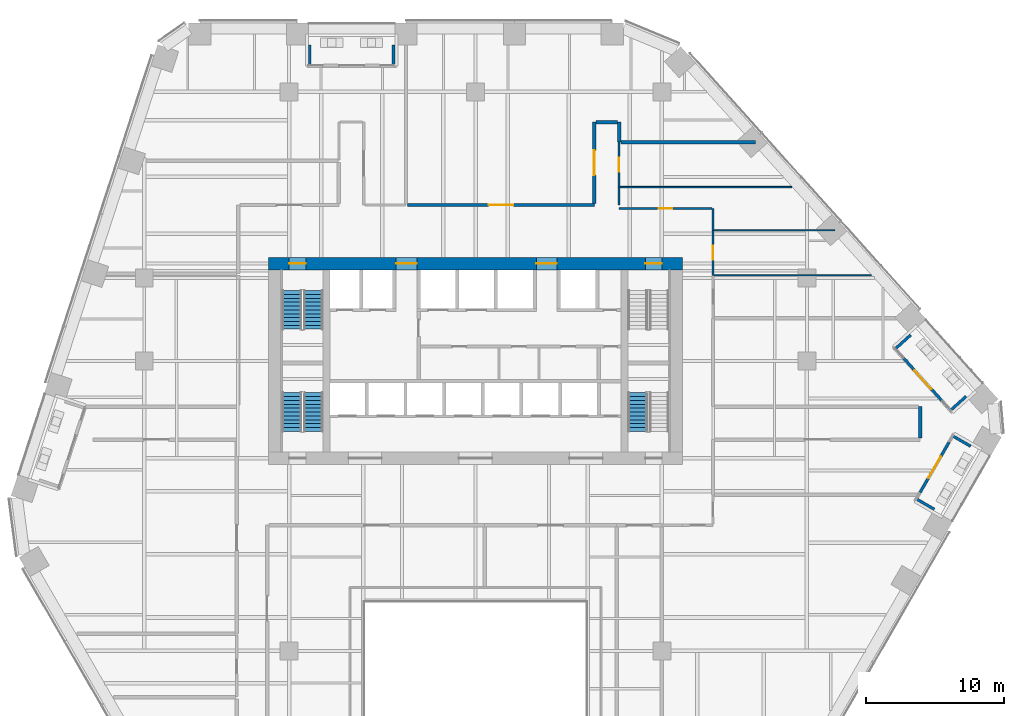
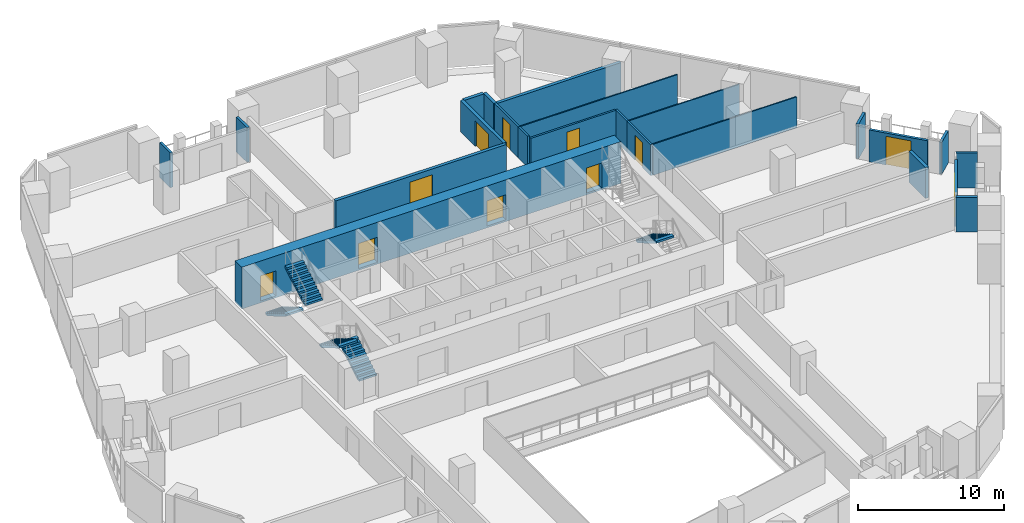
# One storey, part 25 of 31: 23 walls, 11 doors, 5 stair flights, 11 openings, 3 elements without a shape of their own.
"""IFC4 building model written with IfcOpenShell, lengths in metres."""

from ifc_helpers import new_model, si_unit, direction, frame, frame_2d, origin, place, context, subcontext, project, spatial, polyline, rectangle, outline, extrude, material, layer, layer_set, type_object, element, fill, aggregate, save


model = new_model("IFC4")

# Units and contexts
model_context = context("Model", 3, precision=1e-05, world=origin(), true_north=direction((0.0, 1.0)))
body_context = subcontext(model_context, "Body", "Model", "MODEL_VIEW")
ifc_project = project(units=[si_unit("LENGTHUNIT", "METRE"), si_unit("AREAUNIT", "SQUARE_METRE"), si_unit("VOLUMEUNIT", "CUBIC_METRE"), si_unit("PLANEANGLEUNIT", "RADIAN"), si_unit("MASSUNIT", "GRAM", prefix="KILO")], contexts=[model_context])

# Site, building, storey
site_placement = place(None, origin())
site = spatial("IfcSite", under=ifc_project, at=site_placement, CompositionType="ELEMENT")
building_placement = place(site_placement, origin())
building = spatial("IfcBuilding", under=site, at=building_placement, Name="Isthmus Gate Tower", CompositionType="ELEMENT")
storey_placement = place(building_placement, frame((0.0, 0.0, 113.5)))
storey = spatial("IfcBuildingStorey", under=building, at=storey_placement, Name="L27", CompositionType="ELEMENT", Elevation=113.5)

# Walls
ifc_material_1 = material(Name="Double-leaf acoustic stud wall, fire-rated", Category="gypsum")
ifc_layer_1 = layer(ifc_material_1, 0.25)
ifc_layer_set_1 = layer_set([ifc_layer_1], Name="ACOUSTIC WALL 250 60 MIN")
wall_type_1 = type_object("IfcWallType", Name="ACOUSTIC WALL 250 60 MIN", PredefinedType="PARTITIONING", material=ifc_layer_set_1)
wall_1_placement = place(storey_placement, frame((10.39990234375, 24.800048828125, 0.0), z_axis=(0.0, 0.0, 1.0), x_axis=(0.0, -1.0, 0.0)))
element("IfcWall", 1, at=wall_1_placement, inside=storey, type_object=wall_type_1, Name="L27 Acoustic Wall 250 60 Min", PredefinedType="PARTITIONING", context=body_context, shape_type="SweptSolid", body=[
    extrude(rectangle(XDim=1.449951171875, YDim=0.25, at=frame_2d((0.72509765625, 0.0))), origin(), (0.0, 0.0, 1.0), 2.59130859375),
])
wall_2_placement = place(storey_placement, frame((32.199951171875, 4.199951171875, 0.0), z_axis=(0.0, 0.0, 1.0), x_axis=(0.0, -1.0, 0.0)))
element("IfcWall", 2, at=wall_2_placement, inside=storey, type_object=wall_type_1, Name="L27 Acoustic Wall 250 60 Min", PredefinedType="PARTITIONING", context=body_context, shape_type="SweptSolid", body=[
    extrude(rectangle(XDim=2.27490234375, YDim=0.25, at=frame_2d((1.137451171875, 0.0))), origin(), (0.0, 0.0, 1.0), 2.59130859375),
])

# Wall, opening, door
wall_3_placement = place(storey_placement, frame((-4.912109375, 18.800048828125, 0.0), z_axis=(0.0, 0.0, 1.0), x_axis=(1.0, 0.0, 0.0)))
wall_3 = element("IfcWall", 3, at=wall_3_placement, inside=storey, type_object=wall_type_1, Name="L27 Acoustic Wall 250 60 Min", PredefinedType="PARTITIONING", context=body_context, shape_type="SweptSolid", body=[
    extrude(rectangle(XDim=13.51220703125, YDim=0.25, at=frame_2d((6.756103515625, 0.0))), origin(), (0.0, 0.0, 1.0), 2.59130859375),
])
opening_1_placement = place(wall_3_placement, frame((5.85595703125, 0.0, 0.0)))
opening_1 = element("IfcOpeningElement", 4, at=opening_1_placement, cuts=wall_3, Name="Opening DT-T2D-02", PredefinedType="OPENING", context=body_context, shape_type="SweptSolid", body=[
    extrude(rectangle(XDim=1.800048828125, YDim=2.10009765625, at=frame_2d((0.89990234375, 1.050048828125))), frame((0.0, 0.135009765625, 0.0), z_axis=(0.0, -1.0, 0.0), x_axis=(1.0, 0.0, 0.0)), (0.0, 0.0, 1.0), 0.27001953125),
])
ifc_material_2 = material(Name="Solid core timber door leaf, fire-rated", Category="wood")
door_type_1 = type_object("IfcDoorType", Name="FIRE DOOR ACOUSTIC ROOM 1800 X 2100 60 MIN", OperationType="DOUBLE_DOOR_DOUBLE_SWING", PredefinedType="DOOR", material=ifc_material_2)
door_1_placement = place(opening_1_placement, origin())
door_1 = element("IfcDoor", 5, at=door_1_placement, inside=storey, type_object=door_type_1, Name="L27 room door", OperationType="DOUBLE_DOOR_DOUBLE_SWING", OverallHeight=2.10009765625, OverallWidth=1.800048828125, PredefinedType="DOOR", context=body_context, shape_type="SweptSolid", body=[
    extrude(rectangle(XDim=1.800048828125, YDim=2.10009765625, at=frame_2d((0.89990234375, 1.050048828125))), frame((0.0, 0.02490234375, 0.0), z_axis=(0.0, -1.0, 0.0), x_axis=(1.0, 0.0, 0.0)), (0.0, 0.0, 1.0), 0.050048828125),
])
fill(opening_1, door_1)

wall_4_placement = place(storey_placement, frame((8.60009765625, 18.925048828125, 0.0), z_axis=(0.0, 0.0, 1.0), x_axis=(0.0, 1.0, 0.0)))
wall_4 = element("IfcWall", 6, at=wall_4_placement, inside=storey, type_object=wall_type_1, Name="L27 Acoustic Wall 250 60 Min", PredefinedType="PARTITIONING", context=body_context, shape_type="SweptSolid", body=[
    extrude(rectangle(XDim=5.875, YDim=0.25, at=frame_2d((2.9375, 0.0))), origin(), (0.0, 0.0, 1.0), 2.59130859375),
])
opening_2_placement = place(wall_4_placement, frame((2.03759765625, 0.0, 0.0)))
opening_2 = element("IfcOpeningElement", 7, at=opening_2_placement, cuts=wall_4, Name="Opening DT-T2D-03", PredefinedType="OPENING", context=body_context, shape_type="SweptSolid", body=[
    extrude(rectangle(XDim=1.800048828125, YDim=2.10009765625, at=frame_2d((0.89990234375, 1.050048828125))), frame((0.0, 0.135009765625, 0.0), z_axis=(0.0, -1.0, 0.0), x_axis=(1.0, 0.0, 0.0)), (0.0, 0.0, 1.0), 0.27001953125),
])
door_2_placement = place(opening_2_placement, origin())
door_2 = element("IfcDoor", 8, at=door_2_placement, inside=storey, type_object=door_type_1, Name="L27 room door", OperationType="DOUBLE_DOOR_DOUBLE_SWING", OverallHeight=2.10009765625, OverallWidth=1.800048828125, PredefinedType="DOOR", context=body_context, shape_type="SweptSolid", body=[
    extrude(rectangle(XDim=1.800048828125, YDim=2.10009765625, at=frame_2d((0.89990234375, 1.050048828125))), frame((0.0, 0.02490234375, 0.0), z_axis=(0.0, -1.0, 0.0), x_axis=(1.0, 0.0, 0.0)), (0.0, 0.0, 1.0), 0.050048828125),
])
fill(opening_2, door_2)

# Walls
wall_5_placement = place(storey_placement, frame((8.72509765625, 24.800048828125, 0.0), z_axis=(0.0, 0.0, 1.0), x_axis=(1.0, 0.0, 0.0)))
element("IfcWall", 9, at=wall_5_placement, inside=storey, type_object=wall_type_1, Name="L27 Acoustic Wall 250 60 Min", PredefinedType="PARTITIONING", context=body_context, shape_type="SweptSolid", body=[
    extrude(rectangle(XDim=1.5498046875, YDim=0.25, at=frame_2d((0.77490234375, 0.0))), origin(), (0.0, 0.0, 1.0), 2.59130859375),
])
wall_6_placement = place(storey_placement, frame((10.52490234375, 23.35009765625, 0.0), z_axis=(0.0, 0.0, 1.0), x_axis=(1.0, 0.0, 0.0)))
element("IfcWall", 10, at=wall_6_placement, inside=storey, type_object=wall_type_1, Name="L27 Acoustic Wall 250 60 Min", PredefinedType="PARTITIONING", context=body_context, shape_type="SweptSolid", body=[
    extrude(rectangle(XDim=9.76220703125, YDim=0.25, at=frame_2d((4.881103515625, 0.0))), origin(), (0.0, 0.0, 1.0), 2.59130859375),
])

# Wall, opening, door
ifc_material_3 = material(Name="Gypsum board on steel studs, fire-rated", Category="steel")
ifc_layer_2 = layer(ifc_material_3, 0.14990234375)
ifc_layer_set_2 = layer_set([ifc_layer_2], Name="CORRIDOR WALL 150 60 MIN")
wall_type_2 = type_object("IfcWallType", Name="CORRIDOR WALL 150 60 MIN", PredefinedType="PARTITIONING", material=ifc_layer_set_2)
wall_7_placement = place(storey_placement, frame((10.39990234375, 23.35009765625, 0.0), z_axis=(0.0, 0.0, 1.0), x_axis=(0.0, -1.0, 0.0)))
wall_7 = element("IfcWall", 11, at=wall_7_placement, inside=storey, type_object=wall_type_2, Name="L27 Corridor Wall 150 60 Min", PredefinedType="PARTITIONING", context=body_context, shape_type="SweptSolid", body=[
    extrude(rectangle(XDim=3.258056640625, YDim=0.14990234375, at=frame_2d((1.62890625, 0.0))), origin(), (0.0, 0.0, 1.0), 2.59130859375),
])
opening_3_placement = place(wall_7_placement, frame((1.12890625, 0.0, 0.0)))
opening_3 = element("IfcOpeningElement", 12, at=opening_3_placement, cuts=wall_7, Name="Opening DT-T2D-04", PredefinedType="OPENING", context=body_context, shape_type="SweptSolid", body=[
    extrude(rectangle(XDim=1.0, YDim=2.10009765625, at=frame_2d((0.5, 1.050048828125))), frame((0.0, 0.0849609375, 0.0), z_axis=(0.0, -1.0, 0.0), x_axis=(1.0, 0.0, 0.0)), (0.0, 0.0, 1.0), 0.169921875),
])
ifc_material_4 = material(Name="Solid core timber door leaf, fire-rated", Category="wood")
door_type_2 = type_object("IfcDoorType", Name="FIRE DOOR ROOM 1000 X 2100 60 MIN", OperationType="SINGLE_SWING_LEFT", PredefinedType="DOOR", material=ifc_material_4)
door_3_placement = place(opening_3_placement, origin())
door_3 = element("IfcDoor", 13, at=door_3_placement, inside=storey, type_object=door_type_2, Name="L27 room door", OperationType="SINGLE_SWING_RIGHT", OverallHeight=2.10009765625, OverallWidth=1.0, PredefinedType="DOOR", context=body_context, shape_type="SweptSolid", body=[
    extrude(rectangle(XDim=1.0, YDim=2.10009765625, at=frame_2d((0.5, 1.050048828125))), frame((0.0, 0.02490234375, 0.0), z_axis=(0.0, -1.0, 0.0), x_axis=(1.0, 0.0, 0.0)), (0.0, 0.0, 1.0), 0.050048828125),
])
fill(opening_3, door_3)

# Walls
wall_8_placement = place(storey_placement, frame((10.39990234375, 20.092041015625, 0.0), z_axis=(0.0, 0.0, 1.0), x_axis=(0.0, -1.0, 0.0)))
element("IfcWall", 14, at=wall_8_placement, inside=storey, type_object=wall_type_2, Name="L27 Corridor Wall 150 60 Min", PredefinedType="PARTITIONING", context=body_context, shape_type="SweptSolid", body=[
    extrude(rectangle(XDim=1.2900390625, YDim=0.14990234375, at=frame_2d((0.64501953125, 0.0))), origin(), (0.0, 0.0, 1.0), 2.59130859375),
])
wall_9_placement = place(storey_placement, frame((17.199951171875, 18.5400390625, 0.0), z_axis=(0.0, 0.0, 1.0), x_axis=(0.0, -1.0, 0.0)))
element("IfcWall", 15, at=wall_9_placement, inside=storey, type_object=wall_type_2, Name="L27 Corridor Wall 150 60 Min", PredefinedType="PARTITIONING", context=body_context, shape_type="SweptSolid", body=[
    extrude(rectangle(XDim=1.572998046875, YDim=0.14990234375, at=frame_2d((0.78662109375, 0.0))), origin(), (0.0, 0.0, 1.0), 2.59130859375),
])

# Wall, opening, door
wall_10_placement = place(storey_placement, frame((17.199951171875, 16.967041015625, 0.0), z_axis=(0.0, 0.0, 1.0), x_axis=(0.0, -1.0, 0.0)))
wall_10 = element("IfcWall", 16, at=wall_10_placement, inside=storey, type_object=wall_type_2, Name="L27 Corridor Wall 150 60 Min", PredefinedType="PARTITIONING", context=body_context, shape_type="SweptSolid", body=[
    extrude(rectangle(XDim=3.258056640625, YDim=0.14990234375, at=frame_2d((1.62890625, 0.0))), origin(), (0.0, 0.0, 1.0), 2.59130859375),
])
opening_4_placement = place(wall_10_placement, frame((1.12890625, 0.0, 0.0)))
opening_4 = element("IfcOpeningElement", 17, at=opening_4_placement, cuts=wall_10, Name="Opening DT-T2D-07", PredefinedType="OPENING", context=body_context, shape_type="SweptSolid", body=[
    extrude(rectangle(XDim=1.0, YDim=2.10009765625, at=frame_2d((0.5, 1.050048828125))), frame((0.0, 0.0849609375, 0.0), z_axis=(0.0, -1.0, 0.0), x_axis=(1.0, 0.0, 0.0)), (0.0, 0.0, 1.0), 0.169921875),
])
door_4_placement = place(opening_4_placement, origin())
door_4 = element("IfcDoor", 18, at=door_4_placement, inside=storey, type_object=door_type_2, Name="L27 room door", OperationType="SINGLE_SWING_RIGHT", OverallHeight=2.10009765625, OverallWidth=1.0, PredefinedType="DOOR", context=body_context, shape_type="SweptSolid", body=[
    extrude(rectangle(XDim=1.0, YDim=2.10009765625, at=frame_2d((0.5, 1.050048828125))), frame((0.0, 0.02490234375, 0.0), z_axis=(0.0, -1.0, 0.0), x_axis=(1.0, 0.0, 0.0)), (0.0, 0.0, 1.0), 0.050048828125),
])
fill(opening_4, door_4)

wall_11_placement = place(storey_placement, frame((10.39794921875, 18.5400390625, 0.0), z_axis=(0.0, 0.0, 1.0), x_axis=(1.0, 0.0, 0.0)))
wall_11 = element("IfcWall", 19, at=wall_11_placement, inside=storey, type_object=wall_type_2, Name="L27 Corridor Wall 150 60 Min", PredefinedType="PARTITIONING", context=body_context, shape_type="SweptSolid", body=[
    extrude(rectangle(XDim=6.72705078125, YDim=0.14990234375, at=frame_2d((3.363525390625, 0.0))), origin(), (0.0, 0.0, 1.0), 2.59130859375),
])
opening_5_placement = place(wall_11_placement, frame((2.863525390625, 0.0, 0.0)))
opening_5 = element("IfcOpeningElement", 20, at=opening_5_placement, cuts=wall_11, Name="Opening DT-T2D-06", PredefinedType="OPENING", context=body_context, shape_type="SweptSolid", body=[
    extrude(rectangle(XDim=1.0, YDim=2.10009765625, at=frame_2d((0.5, 1.050048828125))), frame((0.0, 0.0849609375, 0.0), z_axis=(0.0, -1.0, 0.0), x_axis=(1.0, 0.0, 0.0)), (0.0, 0.0, 1.0), 0.169921875),
])
door_5_placement = place(opening_5_placement, origin())
door_5 = element("IfcDoor", 21, at=door_5_placement, inside=storey, type_object=door_type_2, Name="L27 room door", OperationType="SINGLE_SWING_RIGHT", OverallHeight=2.10009765625, OverallWidth=1.0, PredefinedType="DOOR", context=body_context, shape_type="SweptSolid", body=[
    extrude(rectangle(XDim=1.0, YDim=2.10009765625, at=frame_2d((0.5, 1.050048828125))), frame((0.0, 0.02490234375, 0.0), z_axis=(0.0, -1.0, 0.0), x_axis=(1.0, 0.0, 0.0)), (0.0, 0.0, 1.0), 0.050048828125),
])
fill(opening_5, door_5)

# Walls
ifc_material_5 = material(Name="Precast concrete C40/50", Category="concrete")
ifc_layer_3 = layer(ifc_material_5, 0.199951171875)
ifc_layer_set_3 = layer_set([ifc_layer_3], Name="LOGGIA WALL 200")
wall_type_3 = type_object("IfcWallType", Name="LOGGIA WALL 200", PredefinedType="SOLIDWALL", material=ifc_layer_set_3)
for number, where, z_axis, x_axis, name in (
    (22, (-5.937255859375, 30.39990234375, 0.0), (0.0, 0.0, 1.0), (0.0, -1.0, 0.0), "LOGGIA SIDE WALL"),
    (23, (-12.006591796875, 30.39990234375, 0.0), (0.0, 0.0, 1.0), (0.0, -1.0, 0.0), "LOGGIA SIDE WALL"),
):
    element("IfcWall", number, at=place(storey_placement, frame(where, z_axis=z_axis, x_axis=x_axis)), inside=storey, type_object=wall_type_3, Name=name, PredefinedType="SOLIDWALL", context=body_context, shape_type="SweptSolid", body=[
        extrude(rectangle(XDim=1.48388671875, YDim=0.199951171875, at=frame_2d((0.741943359375, 0.0))), origin(), (0.0, 0.0, 1.0), 2.89990234375),
    ])

# Wall, opening, door
wall_12_placement = place(storey_placement, frame((32.198974609375, -2.030029296875, 0.0), z_axis=(0.0, 0.0, 1.0), x_axis=(0.499958946799, 0.866049104564, 0.0)))
wall_12 = element("IfcWall", 24, at=wall_12_placement, inside=storey, type_object=wall_type_3, Name="LOGGIA BACK WALL", PredefinedType="SOLIDWALL", context=body_context, shape_type="SweptSolid", body=[
    extrude(rectangle(XDim=4.199951171875, YDim=0.199951171875, at=frame_2d((2.10009765625, 0.0))), origin(), (0.0, 0.0, 1.0), 2.670654296875),
])
opening_6_placement = place(wall_12_placement, frame((1.199951171875, 0.0, 0.0)))
opening_6 = element("IfcOpeningElement", 25, at=opening_6_placement, cuts=wall_12, Name="Opening DE27-05", PredefinedType="OPENING", context=body_context, shape_type="SweptSolid", body=[
    extrude(rectangle(XDim=1.800048828125, YDim=2.39990234375, at=frame_2d((0.89990234375, 1.199951171875))), frame((0.0, 0.10986328125, 0.0), z_axis=(0.0, -1.0, 0.0), x_axis=(1.0, 0.0, 0.0)), (0.0, 0.0, 1.0), 0.219970703125),
])
ifc_material_6 = material(Name="Aluminium, pale champagne anodised, laminated glass", Category="aluminium")
door_type_3 = type_object("IfcDoorType", Name="LOGGIA DOOR SLIDING 1800 X 2400", OperationType="DOUBLE_DOOR_SLIDING", PredefinedType="DOOR", material=ifc_material_6)
door_6_placement = place(opening_6_placement, origin())
door_6 = element("IfcDoor", 26, at=door_6_placement, inside=storey, type_object=door_type_3, Name="DOOR DE27-05", OperationType="SINGLE_SWING_LEFT", OverallHeight=2.39990234375, OverallWidth=1.800048828125, PredefinedType="DOOR", context=body_context, shape_type="SweptSolid", body=[
    extrude(rectangle(XDim=1.800048828125, YDim=2.39990234375, at=frame_2d((0.89990234375, 1.199951171875))), frame((0.0, 0.02490234375, 0.0), z_axis=(0.0, -1.0, 0.0), x_axis=(1.0, 0.0, 0.0)), (0.0, 0.0, 1.0), 0.050048828125),
])
fill(opening_6, door_6)

# Walls
for number, where, z_axis, x_axis, name in (
    (27, (33.23046875, -3.242919921875, 0.0), (0.0, 0.0, 1.0), (-0.866037643702, 0.499978799242, 0.0), "LOGGIA SIDE WALL"),
    (28, (35.865234375, 1.320556640625, 0.0), (0.0, 0.0, 1.0), (-0.866037643702, 0.499978799242, 0.0), "LOGGIA SIDE WALL"),
):
    element("IfcWall", number, at=place(storey_placement, frame(where, z_axis=z_axis, x_axis=x_axis)), inside=storey, type_object=wall_type_3, Name=name, PredefinedType="SOLIDWALL", context=body_context, shape_type="SweptSolid", body=[
        extrude(rectangle(XDim=1.48388671875, YDim=0.199951171875, at=frame_2d((0.741943359375, 0.0))), origin(), (0.0, 0.0, 1.0), 2.89990234375),
    ])

# Wall, opening, door
wall_13_placement = place(storey_placement, frame((33.814697265625, 4.59033203125, 0.0), z_axis=(0.0, 0.0, 1.0), x_axis=(-0.669138140895, 0.743138041282, 0.0)))
wall_13 = element("IfcWall", 29, at=wall_13_placement, inside=storey, type_object=wall_type_3, Name="LOGGIA BACK WALL", PredefinedType="SOLIDWALL", context=body_context, shape_type="SweptSolid", body=[
    extrude(rectangle(XDim=4.199951171875, YDim=0.199951171875, at=frame_2d((2.10009765625, 0.0))), origin(), (0.0, 0.0, 1.0), 2.670654296875),
])
opening_7_placement = place(wall_13_placement, frame((1.199951171875, 0.0, 0.0)))
opening_7 = element("IfcOpeningElement", 30, at=opening_7_placement, cuts=wall_13, Name="Opening DE27-06", PredefinedType="OPENING", context=body_context, shape_type="SweptSolid", body=[
    extrude(rectangle(XDim=1.800048828125, YDim=2.39990234375, at=frame_2d((0.89990234375, 1.199951171875))), frame((0.0, 0.10986328125, 0.0), z_axis=(0.0, -1.0, 0.0), x_axis=(1.0, 0.0, 0.0)), (0.0, 0.0, 1.0), 0.219970703125),
])
door_7_placement = place(opening_7_placement, origin())
door_7 = element("IfcDoor", 31, at=door_7_placement, inside=storey, type_object=door_type_3, Name="DOOR DE27-06", OperationType="SINGLE_SWING_LEFT", OverallHeight=2.39990234375, OverallWidth=1.800048828125, PredefinedType="DOOR", context=body_context, shape_type="SweptSolid", body=[
    extrude(rectangle(XDim=1.800048828125, YDim=2.39990234375, at=frame_2d((0.89990234375, 1.199951171875))), frame((0.0, 0.02490234375, 0.0), z_axis=(0.0, -1.0, 0.0), x_axis=(1.0, 0.0, 0.0)), (0.0, 0.0, 1.0), 0.050048828125),
])
fill(opening_7, door_7)

# Walls
wall_14_placement = place(storey_placement, frame((35.528076171875, 4.928955078125, 0.0), z_axis=(0.0, 0.0, 1.0), x_axis=(-0.743155057383, -0.669119242501, 0.0)))
element("IfcWall", 32, at=wall_14_placement, inside=storey, type_object=wall_type_3, Name="LOGGIA SIDE WALL", PredefinedType="SOLIDWALL", context=body_context, shape_type="SweptSolid", body=[
    extrude(rectangle(XDim=1.48388671875, YDim=0.199951171875, at=frame_2d((0.741943359375, 0.0))), origin(), (0.0, 0.0, 1.0), 2.670654296875),
])
wall_15_placement = place(storey_placement, frame((31.5205078125, 9.380126953125, 0.0), z_axis=(0.0, 0.0, 1.0), x_axis=(-0.743073249722, -0.669210090739, 0.0)))
element("IfcWall", 33, at=wall_15_placement, inside=storey, type_object=wall_type_3, Name="LOGGIA SIDE WALL", PredefinedType="SOLIDWALL", context=body_context, shape_type="SweptSolid", body=[
    extrude(rectangle(XDim=1.484130859375, YDim=0.199951171875, at=frame_2d((0.7421875, 0.0))), origin(), (0.0, 0.0, 1.0), 2.89990234375),
])

# Wall, openings, doors
ifc_material_7 = material(Name="Concrete f'c 70 MPa", Category="concrete")
ifc_layer_4 = layer(ifc_material_7, 0.89990234375)
ifc_layer_set_4 = layer_set([ifc_layer_4], Name="RC CORE WALL 900 F'C 70")
wall_type_4 = type_object("IfcWallType", Name="RC CORE WALL 900 F'C 70", PredefinedType="SOLIDWALL", material=ifc_layer_set_4)
wall_16_placement = place(storey_placement, frame((-15.0, 14.550048828125, -0.14990234375), z_axis=(0.0, 0.0, 1.0), x_axis=(1.0, 0.0, 0.0)))
wall_16 = element("IfcWall", 34, at=wall_16_placement, inside=storey, type_object=wall_type_4, Name="str-corewall-L27-N", PredefinedType="SOLIDWALL", context=body_context, shape_type="SweptSolid", body=[
    extrude(rectangle(XDim=30.0, YDim=0.89990234375, at=frame_2d((15.0, 0.0))), origin(), (0.0, 0.0, 1.0), 3.5),
])
opening_8_placement = place(wall_16_placement, frame((9.25, 0.0, 0.14990234375)))
opening_8 = element("IfcOpeningElement", 35, at=opening_8_placement, cuts=wall_16, Name="Opening DC-A04-11", PredefinedType="OPENING", context=body_context, shape_type="SweptSolid", body=[
    extrude(rectangle(XDim=1.5, YDim=2.10009765625, at=frame_2d((0.75, 1.050048828125))), frame((0.0, 0.4599609375, 0.0), z_axis=(0.0, -1.0, 0.0), x_axis=(1.0, 0.0, 0.0)), (0.0, 0.0, 1.0), 0.919921875),
])
opening_9_placement = place(wall_16_placement, frame((19.39990234375, 0.0, 0.14990234375)))
opening_9 = element("IfcOpeningElement", 36, at=opening_9_placement, cuts=wall_16, Name="Opening DC-A04-12", PredefinedType="OPENING", context=body_context, shape_type="SweptSolid", body=[
    extrude(rectangle(XDim=1.5, YDim=2.10009765625, at=frame_2d((0.75, 1.050048828125))), frame((0.0, 0.4599609375, 0.0), z_axis=(0.0, -1.0, 0.0), x_axis=(1.0, 0.0, 0.0)), (0.0, 0.0, 1.0), 0.919921875),
])
opening_10_placement = place(wall_16_placement, frame((1.5, 0.0, 0.14990234375)))
opening_10 = element("IfcOpeningElement", 37, at=opening_10_placement, cuts=wall_16, Name="Opening DC-A04-13", PredefinedType="OPENING", context=body_context, shape_type="SweptSolid", body=[
    extrude(rectangle(XDim=1.199951171875, YDim=2.10009765625, at=frame_2d((0.60009765625, 1.050048828125))), frame((0.0, 0.4599609375, 0.0), z_axis=(0.0, -1.0, 0.0), x_axis=(1.0, 0.0, 0.0)), (0.0, 0.0, 1.0), 0.919921875),
])
opening_11_placement = place(wall_16_placement, frame((27.300048828125, 0.0, 0.14990234375)))
opening_11 = element("IfcOpeningElement", 38, at=opening_11_placement, cuts=wall_16, Name="Opening DC-A04-14", PredefinedType="OPENING", context=body_context, shape_type="SweptSolid", body=[
    extrude(rectangle(XDim=1.199951171875, YDim=2.10009765625, at=frame_2d((0.60009765625, 1.050048828125))), frame((0.0, 0.4599609375, 0.0), z_axis=(0.0, -1.0, 0.0), x_axis=(1.0, 0.0, 0.0)), (0.0, 0.0, 1.0), 0.919921875),
])
ifc_material_8 = material(Name="Steel door leaf, fire-rated", Category="steel")
door_type_4 = type_object("IfcDoorType", Name="LOBBY FIRE DOOR 1500 X 2100 60 MIN", OperationType="DOUBLE_DOOR_SINGLE_SWING", PredefinedType="DOOR", material=ifc_material_8)
door_8_placement = place(opening_9_placement, origin())
door_8 = element("IfcDoor", 39, at=door_8_placement, inside=storey, type_object=door_type_4, Name="Lobby Door PN-E", OperationType="DOUBLE_DOOR_SINGLE_SWING", OverallHeight=2.10009765625, OverallWidth=1.5, PredefinedType="DOOR", context=body_context, shape_type="SweptSolid", body=[
    extrude(rectangle(XDim=1.5, YDim=2.10009765625, at=frame_2d((0.75, 1.050048828125))), frame((0.0, 0.02490234375, 0.0), z_axis=(0.0, -1.0, 0.0), x_axis=(1.0, 0.0, 0.0)), (0.0, 0.0, 1.0), 0.050048828125),
])
fill(opening_9, door_8)
ifc_material_9 = material(Name="Steel door leaf, fire-rated", Category="steel")
door_type_5 = type_object("IfcDoorType", Name="LOBBY FIRE DOOR 1500 X 2100 90 MIN", OperationType="DOUBLE_DOOR_SINGLE_SWING", PredefinedType="DOOR", material=ifc_material_9)
door_9_placement = place(opening_8_placement, origin())
door_9 = element("IfcDoor", 40, at=door_9_placement, inside=storey, type_object=door_type_5, Name="Lobby Door PN-W", OperationType="DOUBLE_DOOR_SINGLE_SWING", OverallHeight=2.10009765625, OverallWidth=1.5, PredefinedType="DOOR", context=body_context, shape_type="SweptSolid", body=[
    extrude(rectangle(XDim=1.5, YDim=2.10009765625, at=frame_2d((0.75, 1.050048828125))), frame((0.0, 0.02490234375, 0.0), z_axis=(0.0, -1.0, 0.0), x_axis=(1.0, 0.0, 0.0)), (0.0, 0.0, 1.0), 0.050048828125),
])
fill(opening_8, door_9)
ifc_material_10 = material(Name="Steel door leaf, fire-rated", Category="steel")
door_type_6 = type_object("IfcDoorType", Name="STAIR FIRE DOOR 1200 X 2100 90 MIN", OperationType="SINGLE_SWING_LEFT", PredefinedType="DOOR", material=ifc_material_10)
door_10_placement = place(opening_10_placement, origin())
door_10 = element("IfcDoor", 41, at=door_10_placement, inside=storey, type_object=door_type_6, Name="Exit Stair 1 Door", OperationType="SINGLE_SWING_RIGHT", OverallHeight=2.10009765625, OverallWidth=1.199951171875, PredefinedType="DOOR", context=body_context, shape_type="SweptSolid", body=[
    extrude(rectangle(XDim=1.199951171875, YDim=2.10009765625, at=frame_2d((0.60009765625, 1.050048828125))), frame((0.0, 0.02490234375, 0.0), z_axis=(0.0, -1.0, 0.0), x_axis=(1.0, 0.0, 0.0)), (0.0, 0.0, 1.0), 0.050048828125),
])
fill(opening_10, door_10)
door_11_placement = place(opening_11_placement, origin())
door_11 = element("IfcDoor", 42, at=door_11_placement, inside=storey, type_object=door_type_6, Name="Exit Stair 2 Door", OperationType="SINGLE_SWING_LEFT", OverallHeight=2.10009765625, OverallWidth=1.199951171875, PredefinedType="DOOR", context=body_context, shape_type="SweptSolid", body=[
    extrude(rectangle(XDim=1.199951171875, YDim=2.10009765625, at=frame_2d((0.60009765625, 1.050048828125))), frame((0.0, 0.02490234375, 0.0), z_axis=(0.0, -1.0, 0.0), x_axis=(1.0, 0.0, 0.0)), (0.0, 0.0, 1.0), 0.050048828125),
])
fill(opening_11, door_11)

# Walls
ifc_material_11 = material(Name="Gypsum board on steel studs, fire-rated", Category="steel")
ifc_layer_5 = layer(ifc_material_11, 0.10009765625)
ifc_layer_set_5 = layer_set([ifc_layer_5], Name="ROOM PARTITION 100 30 MIN")
wall_type_5 = type_object("IfcWallType", Name="ROOM PARTITION 100 30 MIN", PredefinedType="PARTITIONING", material=ifc_layer_set_5)
wall_17_placement = place(storey_placement, frame((10.47509765625, 20.092041015625, 0.0), z_axis=(0.0, 0.0, 1.0), x_axis=(1.0, 0.0, 0.0)))
element("IfcWall", 43, at=wall_17_placement, inside=storey, type_object=wall_type_5, Name="L27 Room Partition 100 30 Min", PredefinedType="PARTITIONING", context=body_context, shape_type="SweptSolid", body=[
    extrude(rectangle(XDim=12.44580078125, YDim=0.10009765625, at=frame_2d((6.222900390625, 0.0))), origin(), (0.0, 0.0, 1.0), 2.59130859375),
])
wall_18_placement = place(storey_placement, frame((17.27490234375, 16.967041015625, 0.0), z_axis=(0.0, 0.0, 1.0), x_axis=(1.0, 0.0, 0.0)))
element("IfcWall", 44, at=wall_18_placement, inside=storey, type_object=wall_type_5, Name="L27 Room Partition 100 30 Min", PredefinedType="PARTITIONING", context=body_context, shape_type="SweptSolid", body=[
    extrude(rectangle(XDim=8.760009765625, YDim=0.10009765625, at=frame_2d((4.3798828125, 0.0))), origin(), (0.0, 0.0, 1.0), 2.59130859375),
])
wall_19_placement = place(storey_placement, frame((17.27490234375, 13.708984375, 0.0), z_axis=(0.0, 0.0, 1.0), x_axis=(1.0, 0.0, 0.0)))
element("IfcWall", 45, at=wall_19_placement, inside=storey, type_object=wall_type_5, Name="L27 Room Partition 100 30 Min", PredefinedType="PARTITIONING", context=body_context, shape_type="SweptSolid", body=[
    extrude(rectangle(XDim=11.39306640625, YDim=0.10009765625, at=frame_2d((5.696533203125, 0.0))), origin(), (0.0, 0.0, 1.0), 2.59130859375),
])

# Stair, stair flights
ifc_material_12 = material(Name="Concrete f'c 40 MPa", Category="concrete")
stair_type = type_object("IfcStairType", Name="CORE STAIR 22 RISERS", PredefinedType="HALF_TURN_STAIR", material=ifc_material_12)
stair_1_placement = place(storey_placement, origin())
stair_1 = element("IfcStair", 46, at=stair_1_placement, inside=storey, type_object=stair_type, Name="L27 Exit Stair 1", PredefinedType="HALF_TURN_STAIR")
ifc_material_13 = material(Name="Concrete f'c 40 MPa", Category="concrete")
stair_flight_type = type_object("IfcStairFlightType", Name="STAIR FLIGHT RC 1400", PredefinedType="STRAIGHT", material=ifc_material_13)
stair_flight_1_placement = place(storey_placement, frame((-13.300048828125, 12.60009765625, 0.0), z_axis=(0.0, 0.0, 1.0), x_axis=(0.0, -1.0, 0.0)))
stair_flight_1 = element("IfcStairFlight", 47, at=stair_flight_1_placement, type_object=stair_flight_type, Name="ST1 flight 1", NumberOfRisers=11, NumberOfTreads=10, PredefinedType="STRAIGHT", RiserHeight=0.165909091, TreadLength=0.28, context=body_context, shape_type="SweptSolid", body=[
    extrude(outline(polyline([(0.0, 0.0), (0.0, 0.166015625), (0.280029296875, 0.166015625), (0.280029296875, 0.331787109375), (0.56005859375, 0.331787109375), (0.56005859375, 0.497802734375), (0.840087890625, 0.497802734375), (0.840087890625, 0.66357421875), (1.1201171875, 0.66357421875), (1.1201171875, 0.82958984375), (1.39990234375, 0.82958984375), (1.39990234375, 0.995361328125), (1.679931640625, 0.995361328125), (1.679931640625, 1.161376953125), (1.9599609375, 1.161376953125), (1.9599609375, 1.327392578125), (2.239990234375, 1.327392578125), (2.239990234375, 1.4931640625), (2.52001953125, 1.4931640625), (2.52001953125, 1.6591796875), (2.800048828125, 1.6591796875), (2.800048828125, 1.824951171875), (2.800048828125, 1.48486328125), (0.2939453125, 0.0), (0.0, 0.0)])), frame((0.0, 0.699951171875, 0.0), z_axis=(0.0, -1.0, 0.0), x_axis=(1.0, 0.0, 0.0)), (0.0, 0.0, 1.0), 1.39990234375),
])
stair_flight_2_placement = place(storey_placement, frame((-11.75, 9.800048828125, 1.824951171875), z_axis=(0.0, 0.0, 1.0), x_axis=(0.0, 1.0, 0.0)))
stair_flight_2 = element("IfcStairFlight", 48, at=stair_flight_2_placement, type_object=stair_flight_type, Name="ST1 flight 2", NumberOfRisers=11, NumberOfTreads=10, PredefinedType="STRAIGHT", RiserHeight=0.165909091, TreadLength=0.28, context=body_context, shape_type="SweptSolid", body=[
    extrude(outline(polyline([(0.0, 0.0), (0.0, 0.166015625), (0.280029296875, 0.166015625), (0.280029296875, 0.331787109375), (0.56005859375, 0.331787109375), (0.56005859375, 0.497802734375), (0.840087890625, 0.497802734375), (0.840087890625, 0.66357421875), (1.1201171875, 0.66357421875), (1.1201171875, 0.82958984375), (1.39990234375, 0.82958984375), (1.39990234375, 0.995361328125), (1.679931640625, 0.995361328125), (1.679931640625, 1.161376953125), (1.9599609375, 1.161376953125), (1.9599609375, 1.327392578125), (2.239990234375, 1.327392578125), (2.239990234375, 1.4931640625), (2.52001953125, 1.4931640625), (2.52001953125, 1.6591796875), (2.800048828125, 1.6591796875), (2.800048828125, 1.824951171875), (2.800048828125, 1.48486328125), (0.2939453125, 0.0), (0.0, 0.0)])), frame((0.0, 0.699951171875, 0.0), z_axis=(0.0, -1.0, 0.0), x_axis=(1.0, 0.0, 0.0)), (0.0, 0.0, 1.0), 1.39990234375),
])
aggregate(stair_1, [stair_flight_1, stair_flight_2])

stair_2_placement = place(storey_placement, origin())
stair_2 = element("IfcStair", 49, at=stair_2_placement, inside=storey, type_object=stair_type, Name="L27 Exit Stair 7", PredefinedType="HALF_TURN_STAIR")
stair_flight_3_placement = place(storey_placement, frame((-11.75, 2.39990234375, 0.0), z_axis=(0.0, 0.0, 1.0), x_axis=(0.0, 1.0, 0.0)))
stair_flight_3 = element("IfcStairFlight", 50, at=stair_flight_3_placement, type_object=stair_flight_type, Name="ST7 flight 1", NumberOfRisers=11, NumberOfTreads=10, PredefinedType="STRAIGHT", RiserHeight=0.165909091, TreadLength=0.28, context=body_context, shape_type="SweptSolid", body=[
    extrude(outline(polyline([(0.0, 0.0), (0.0, 0.166015625), (0.280029296875, 0.166015625), (0.280029296875, 0.331787109375), (0.56005859375, 0.331787109375), (0.56005859375, 0.497802734375), (0.840087890625, 0.497802734375), (0.840087890625, 0.66357421875), (1.1201171875, 0.66357421875), (1.1201171875, 0.82958984375), (1.39990234375, 0.82958984375), (1.39990234375, 0.995361328125), (1.679931640625, 0.995361328125), (1.679931640625, 1.161376953125), (1.9599609375, 1.161376953125), (1.9599609375, 1.327392578125), (2.239990234375, 1.327392578125), (2.239990234375, 1.4931640625), (2.52001953125, 1.4931640625), (2.52001953125, 1.6591796875), (2.800048828125, 1.6591796875), (2.800048828125, 1.824951171875), (2.800048828125, 1.48486328125), (0.2939453125, 0.0), (0.0, 0.0)])), frame((0.0, 0.699951171875, 0.0), z_axis=(0.0, -1.0, 0.0), x_axis=(1.0, 0.0, 0.0)), (0.0, 0.0, 1.0), 1.39990234375),
])
stair_flight_4_placement = place(storey_placement, frame((-13.300048828125, 5.199951171875, 1.824951171875), z_axis=(0.0, 0.0, 1.0), x_axis=(0.0, -1.0, 0.0)))
stair_flight_4 = element("IfcStairFlight", 51, at=stair_flight_4_placement, type_object=stair_flight_type, Name="ST7 flight 2", NumberOfRisers=11, NumberOfTreads=10, PredefinedType="STRAIGHT", RiserHeight=0.165909091, TreadLength=0.28, context=body_context, shape_type="SweptSolid", body=[
    extrude(outline(polyline([(0.0, 0.0), (0.0, 0.166015625), (0.280029296875, 0.166015625), (0.280029296875, 0.331787109375), (0.56005859375, 0.331787109375), (0.56005859375, 0.497802734375), (0.840087890625, 0.497802734375), (0.840087890625, 0.66357421875), (1.1201171875, 0.66357421875), (1.1201171875, 0.82958984375), (1.39990234375, 0.82958984375), (1.39990234375, 0.995361328125), (1.679931640625, 0.995361328125), (1.679931640625, 1.161376953125), (1.9599609375, 1.161376953125), (1.9599609375, 1.327392578125), (2.239990234375, 1.327392578125), (2.239990234375, 1.4931640625), (2.52001953125, 1.4931640625), (2.52001953125, 1.6591796875), (2.800048828125, 1.6591796875), (2.800048828125, 1.824951171875), (2.800048828125, 1.48486328125), (0.2939453125, 0.0), (0.0, 0.0)])), frame((0.0, 0.699951171875, 0.0), z_axis=(0.0, -1.0, 0.0), x_axis=(1.0, 0.0, 0.0)), (0.0, 0.0, 1.0), 1.39990234375),
])
aggregate(stair_2, [stair_flight_3, stair_flight_4])

# Stair, stair flight
stair_3_placement = place(storey_placement, origin())
stair_3 = element("IfcStair", 52, at=stair_3_placement, inside=storey, type_object=stair_type, Name="L27 Exit Stair 8", PredefinedType="HALF_TURN_STAIR")
stair_flight_5_placement = place(storey_placement, frame((11.75, 5.199951171875, 1.824951171875), z_axis=(0.0, 0.0, 1.0), x_axis=(0.0, -1.0, 0.0)))
stair_flight_5 = element("IfcStairFlight", 53, at=stair_flight_5_placement, type_object=stair_flight_type, Name="ST8 flight 2", NumberOfRisers=11, NumberOfTreads=10, PredefinedType="STRAIGHT", RiserHeight=0.165909091, TreadLength=0.28, context=body_context, shape_type="SweptSolid", body=[
    extrude(outline(polyline([(0.0, 0.0), (0.0, 0.166015625), (0.280029296875, 0.166015625), (0.280029296875, 0.331787109375), (0.56005859375, 0.331787109375), (0.56005859375, 0.497802734375), (0.840087890625, 0.497802734375), (0.840087890625, 0.66357421875), (1.1201171875, 0.66357421875), (1.1201171875, 0.82958984375), (1.39990234375, 0.82958984375), (1.39990234375, 0.995361328125), (1.679931640625, 0.995361328125), (1.679931640625, 1.161376953125), (1.9599609375, 1.161376953125), (1.9599609375, 1.327392578125), (2.239990234375, 1.327392578125), (2.239990234375, 1.4931640625), (2.52001953125, 1.4931640625), (2.52001953125, 1.6591796875), (2.800048828125, 1.6591796875), (2.800048828125, 1.824951171875), (2.800048828125, 1.48486328125), (0.2939453125, 0.0), (0.0, 0.0)])), frame((0.0, 0.699951171875, 0.0), z_axis=(0.0, -1.0, 0.0), x_axis=(1.0, 0.0, 0.0)), (0.0, 0.0, 1.0), 1.39990234375),
])
aggregate(stair_3, [stair_flight_5])

save(model, "model.ifc")
